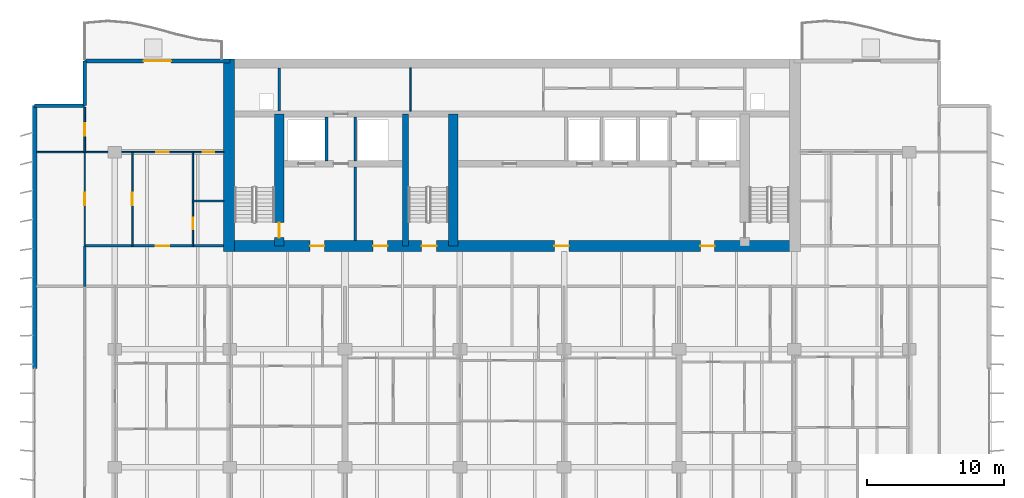
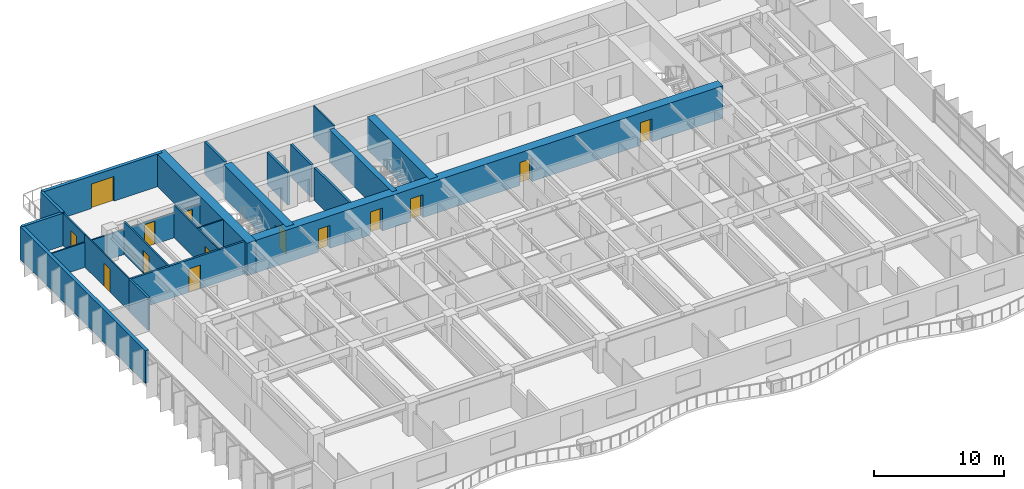
# One storey, part 9 of 15: 22 walls, 14 doors, 14 openings.
"""IFC4 building model written with IfcOpenShell, lengths in metres."""

from ifc_helpers import new_model, si_unit, direction, frame, frame_2d, origin, place, context, subcontext, project, spatial, rectangle, extrude, material, layer, layer_set, type_object, element, fill, save


model = new_model("IFC4")

# Units and contexts
model_context = context("Model", 3, precision=1e-05, world=origin(), true_north=direction((0.0, 1.0)))
body_context = subcontext(model_context, "Body", "Model", "MODEL_VIEW")
ifc_project = project(units=[si_unit("LENGTHUNIT", "METRE"), si_unit("AREAUNIT", "SQUARE_METRE"), si_unit("VOLUMEUNIT", "CUBIC_METRE"), si_unit("PLANEANGLEUNIT", "RADIAN"), si_unit("MASSUNIT", "GRAM", prefix="KILO")], contexts=[model_context])

# Site, building, storey
site_placement = place(None, origin())
site = spatial("IfcSite", under=ifc_project, at=site_placement, CompositionType="ELEMENT")
building_placement = place(site_placement, origin())
building = spatial("IfcBuilding", under=site, at=building_placement, Name="Caelmar Bay Residences", CompositionType="ELEMENT")
storey_placement = place(building_placement, frame((0.0, 0.0, 138.89990234375)))
storey = spatial("IfcBuildingStorey", under=building, at=storey_placement, Name="L38", CompositionType="ELEMENT", Elevation=138.89990234375)

# Wall, opening, door
ifc_material_1 = material(Name="Concrete f'c 55 MPa (8,000 psi)", Category="concrete")
ifc_layer_1 = layer(ifc_material_1, 0.699951171875)
ifc_layer_set_1 = layer_set([ifc_layer_1], Name="Concrete f'c 55 MPa (8,000 psi)")
wall_type_1 = type_object("IfcWallType", Name="SW-COR-700", PredefinedType="SHEAR", material=ifc_layer_set_1)
wall_1_placement = place(storey_placement, frame((21.89990234375, 36.949951171875, 0.0), z_axis=(0.0, 0.0, 1.0), x_axis=(0.0, 1.0, 0.0)))
wall_1 = element("IfcWall", 1, at=wall_1_placement, inside=storey, type_object=wall_type_1, Name="L38 Core Structural Web Wall ST1E", PredefinedType="SHEAR", context=body_context, shape_type="SweptSolid", body=[
    extrude(rectangle(XDim=9.625, YDim=0.699951171875, at=frame_2d((4.8125, 0.0))), origin(), (0.0, 0.0, 1.0), 3.050048828125),
])
opening_1_placement = place(wall_1_placement, frame((0.60009765625, 0.0, 0.0)))
opening_1 = element("IfcOpeningElement", 2, at=opening_1_placement, cuts=wall_1, Name="Opening D-L38-107", PredefinedType="OPENING", context=body_context, shape_type="SweptSolid", body=[
    extrude(rectangle(XDim=1.10009765625, YDim=2.14990234375, at=frame_2d((0.550048828125, 1.074951171875))), frame((0.0, 0.35986328125, 0.0), z_axis=(0.0, -1.0, 0.0), x_axis=(1.0, 0.0, 0.0)), (0.0, 0.0, 1.0), 0.719970703125),
])
ifc_material_2 = material(Name="Fire-rated steel and walnut architectural door assembly", Category="steel")
ifc_layer_2 = layer(ifc_material_2, 0.050048828125)
ifc_layer_set_2 = layer_set([ifc_layer_2], Name="Fire-rated steel and walnut architectural door assembly")
door_type_1 = type_object("IfcDoorType", Name="D-STAIR-1100", OperationType="NOTDEFINED", PredefinedType="DOOR", material=ifc_layer_set_2)
door_1_placement = place(opening_1_placement, origin())
door_1 = element("IfcDoor", 3, at=door_1_placement, inside=storey, type_object=door_type_1, Name="L38 Firefighting Lobby West Door", OperationType="SINGLE_SWING_RIGHT", OverallHeight=2.14990234375, OverallWidth=1.10009765625, PredefinedType="DOOR", context=body_context, shape_type="SweptSolid", body=[
    extrude(rectangle(XDim=1.10009765625, YDim=2.14990234375, at=frame_2d((0.550048828125, 1.074951171875))), frame((0.0, 0.02490234375, 0.0), z_axis=(0.0, -1.0, 0.0), x_axis=(1.0, 0.0, 0.0)), (0.0, 0.0, 1.0), 0.050048828125),
])
fill(opening_1, door_1)

# Wall
wall_2_placement = place(storey_placement, frame((34.60009765625, 36.949951171875, 0.0), z_axis=(0.0, 0.0, 1.0), x_axis=(0.0, 1.0, 0.0)))
element("IfcWall", 4, at=wall_2_placement, inside=storey, type_object=wall_type_1, Name="L38 Core Structural Web Wall ST3E", PredefinedType="SHEAR", context=body_context, shape_type="SweptSolid", body=[
    extrude(rectangle(XDim=9.625, YDim=0.699951171875, at=frame_2d((4.8125, 0.0))), origin(), (0.0, 0.0, 1.0), 3.050048828125),
])

# Wall, openings, doors
ifc_material_3 = material(Name="Concrete f'c 70 MPa (10,000 psi)", Category="concrete")
ifc_layer_3 = layer(ifc_material_3, 0.800048828125)
ifc_layer_set_3 = layer_set([ifc_layer_3], Name="Concrete f'c 70 MPa (10,000 psi)")
wall_type_2 = type_object("IfcWallType", Name="SW-COR-800", PredefinedType="SHEAR", material=ifc_layer_set_3)
wall_3_placement = place(storey_placement, frame((17.85009765625, 36.949951171875, 0.0), z_axis=(0.0, 0.0, 1.0), x_axis=(1.0, 0.0, 0.0)))
wall_3 = element("IfcWall", 5, at=wall_3_placement, inside=storey, type_object=wall_type_2, Name="L38 Rear Core South Shear Wall", PredefinedType="SHEAR", context=body_context, shape_type="SweptSolid", body=[
    extrude(rectangle(XDim=42.099853515625, YDim=0.800048828125, at=frame_2d((21.0498046875, 0.0))), origin(), (0.0, 0.0, 1.0), 3.050048828125),
])
opening_2_placement = place(wall_3_placement, frame((14.449951171875, 0.0, 0.0)))
opening_2 = element("IfcOpeningElement", 6, at=opening_2_placement, cuts=wall_3, Name="Opening D-L38-105", PredefinedType="OPENING", context=body_context, shape_type="SweptSolid", body=[
    extrude(rectangle(XDim=1.10009765625, YDim=2.14990234375, at=frame_2d((0.550048828125, 1.074951171875))), frame((0.0, 0.409912109375, 0.0), z_axis=(0.0, -1.0, 0.0), x_axis=(1.0, 0.0, 0.0)), (0.0, 0.0, 1.0), 0.820068359375),
])
opening_3_placement = place(wall_3_placement, frame((6.300048828125, 0.0, 0.0)))
opening_3 = element("IfcOpeningElement", 7, at=opening_3_placement, cuts=wall_3, Name="Opening D-L38-106", PredefinedType="OPENING", context=body_context, shape_type="SweptSolid", body=[
    extrude(rectangle(XDim=1.050048828125, YDim=2.14990234375, at=frame_2d((0.52490234375, 1.074951171875))), frame((0.0, 0.409912109375, 0.0), z_axis=(0.0, -1.0, 0.0), x_axis=(1.0, 0.0, 0.0)), (0.0, 0.0, 1.0), 0.820068359375),
])
opening_4_placement = place(wall_3_placement, frame((34.800048828125, 0.0, 0.0)))
opening_4 = element("IfcOpeningElement", 8, at=opening_4_placement, cuts=wall_3, Name="Opening D-L38-109", PredefinedType="OPENING", context=body_context, shape_type="SweptSolid", body=[
    extrude(rectangle(XDim=1.050048828125, YDim=2.14990234375, at=frame_2d((0.52490234375, 1.074951171875))), frame((0.0, 0.409912109375, 0.0), z_axis=(0.0, -1.0, 0.0), x_axis=(1.0, 0.0, 0.0)), (0.0, 0.0, 1.0), 0.820068359375),
])
opening_5_placement = place(wall_3_placement, frame((10.91259765625, 0.0, 0.0)))
opening_5 = element("IfcOpeningElement", 9, at=opening_5_placement, cuts=wall_3, Name="Opening D-L38-112", PredefinedType="OPENING", context=body_context, shape_type="SweptSolid", body=[
    extrude(rectangle(XDim=1.050048828125, YDim=2.14990234375, at=frame_2d((0.52490234375, 1.074951171875))), frame((0.0, 0.409912109375, 0.0), z_axis=(0.0, -1.0, 0.0), x_axis=(1.0, 0.0, 0.0)), (0.0, 0.0, 1.0), 0.820068359375),
])
opening_6_placement = place(wall_3_placement, frame((24.14990234375, 0.0, 0.0)))
opening_6 = element("IfcOpeningElement", 10, at=opening_6_placement, cuts=wall_3, Name="Opening D-L38-113", PredefinedType="OPENING", context=body_context, shape_type="SweptSolid", body=[
    extrude(rectangle(XDim=1.050048828125, YDim=2.14990234375, at=frame_2d((0.52490234375, 1.074951171875))), frame((0.0, 0.409912109375, 0.0), z_axis=(0.0, -1.0, 0.0), x_axis=(1.0, 0.0, 0.0)), (0.0, 0.0, 1.0), 0.820068359375),
])
ifc_layer_4 = layer(ifc_material_2, 0.050048828125)
ifc_layer_set_4 = layer_set([ifc_layer_4], Name="Fire-rated steel and walnut architectural door assembly")
door_type_2 = type_object("IfcDoorType", Name="D-FSAE-1050", OperationType="NOTDEFINED", PredefinedType="DOOR", material=ifc_layer_set_4)
door_2_placement = place(opening_3_placement, origin())
door_2 = element("IfcDoor", 11, at=door_2_placement, inside=storey, type_object=door_type_2, Name="L38 Firefighting Lobby West Door", OperationType="SINGLE_SWING_LEFT", OverallHeight=2.14990234375, OverallWidth=1.050048828125, PredefinedType="DOOR", context=body_context, shape_type="SweptSolid", body=[
    extrude(rectangle(XDim=1.050048828125, YDim=2.14990234375, at=frame_2d((0.52490234375, 1.074951171875))), frame((0.0, 0.02490234375, 0.0), z_axis=(0.0, -1.0, 0.0), x_axis=(1.0, 0.0, 0.0)), (0.0, 0.0, 1.0), 0.050048828125),
])
fill(opening_3, door_2)
door_3_placement = place(opening_4_placement, origin())
door_3 = element("IfcDoor", 12, at=door_3_placement, inside=storey, type_object=door_type_2, Name="L38 Firefighting Lobby East Door", OperationType="SINGLE_SWING_RIGHT", OverallHeight=2.14990234375, OverallWidth=1.050048828125, PredefinedType="DOOR", context=body_context, shape_type="SweptSolid", body=[
    extrude(rectangle(XDim=1.050048828125, YDim=2.14990234375, at=frame_2d((0.52490234375, 1.074951171875))), frame((0.0, 0.02490234375, 0.0), z_axis=(0.0, -1.0, 0.0), x_axis=(1.0, 0.0, 0.0)), (0.0, 0.0, 1.0), 0.050048828125),
])
fill(opening_4, door_3)
door_4_placement = place(opening_5_placement, origin())
door_4 = element("IfcDoor", 13, at=door_4_placement, inside=storey, type_object=door_type_2, Name="L38 West Lift Lobby Door", OperationType="SINGLE_SWING_LEFT", OverallHeight=2.14990234375, OverallWidth=1.050048828125, PredefinedType="DOOR", context=body_context, shape_type="SweptSolid", body=[
    extrude(rectangle(XDim=1.050048828125, YDim=2.14990234375, at=frame_2d((0.52490234375, 1.074951171875))), frame((0.0, 0.02490234375, 0.0), z_axis=(0.0, -1.0, 0.0), x_axis=(1.0, 0.0, 0.0)), (0.0, 0.0, 1.0), 0.050048828125),
])
fill(opening_5, door_4)
door_5_placement = place(opening_6_placement, origin())
door_5 = element("IfcDoor", 14, at=door_5_placement, inside=storey, type_object=door_type_2, Name="L38 Passenger Lift Lobby Door", OperationType="SINGLE_SWING_RIGHT", OverallHeight=2.14990234375, OverallWidth=1.050048828125, PredefinedType="DOOR", context=body_context, shape_type="SweptSolid", body=[
    extrude(rectangle(XDim=1.050048828125, YDim=2.14990234375, at=frame_2d((0.52490234375, 1.074951171875))), frame((0.0, 0.02490234375, 0.0), z_axis=(0.0, -1.0, 0.0), x_axis=(1.0, 0.0, 0.0)), (0.0, 0.0, 1.0), 0.050048828125),
])
fill(opening_6, door_5)
door_6_placement = place(opening_2_placement, origin())
door_6 = element("IfcDoor", 15, at=door_6_placement, inside=storey, type_object=door_type_1, Name="L38 Exit Stair ST3 Door", OperationType="SINGLE_SWING_RIGHT", OverallHeight=2.14990234375, OverallWidth=1.10009765625, PredefinedType="DOOR", context=body_context, shape_type="SweptSolid", body=[
    extrude(rectangle(XDim=1.10009765625, YDim=2.14990234375, at=frame_2d((0.550048828125, 1.074951171875))), frame((0.0, 0.02490234375, 0.0), z_axis=(0.0, -1.0, 0.0), x_axis=(1.0, 0.0, 0.0)), (0.0, 0.0, 1.0), 0.050048828125),
])
fill(opening_2, door_6)

# Walls
wall_4_placement = place(storey_placement, frame((18.25, 36.550048828125, 0.0), z_axis=(0.0, 0.0, 1.0), x_axis=(0.0, 1.0, 0.0)))
element("IfcWall", 16, at=wall_4_placement, inside=storey, type_object=wall_type_2, Name="L38 Rear Core West Shear Wall", PredefinedType="SHEAR", context=body_context, shape_type="SweptSolid", body=[
    extrude(rectangle(XDim=14.050048828125, YDim=0.800048828125, at=frame_2d((7.02490234375, 0.0))), origin(), (0.0, 0.0, 1.0), 3.050048828125),
])
ifc_layer_5 = layer(ifc_material_3, 0.449951171875)
ifc_layer_set_5 = layer_set([ifc_layer_5], Name="Concrete f'c 70 MPa (10,000 psi)")
wall_type_3 = type_object("IfcWallType", Name="SW-WEB-450", PredefinedType="SHEAR", material=ifc_layer_set_5)
wall_5_placement = place(storey_placement, frame((31.125, 36.949951171875, 0.0), z_axis=(0.0, 0.0, 1.0), x_axis=(0.0, 1.0, 0.0)))
element("IfcWall", 17, at=wall_5_placement, inside=storey, type_object=wall_type_3, Name="L38 Core Structural Web Wall ST3W", PredefinedType="SHEAR", context=body_context, shape_type="SweptSolid", body=[
    extrude(rectangle(XDim=9.625, YDim=0.449951171875, at=frame_2d((4.8125, 0.0))), origin(), (0.0, 0.0, 1.0), 3.050048828125),
])
ifc_material_4 = material(Name="Double-stud acoustic fire-rated gypsum partition 180 mm")
ifc_layer_6 = layer(ifc_material_4, 0.179931640625)
ifc_layer_set_6 = layer_set([ifc_layer_6], Name="Double-stud acoustic fire-rated gypsum partition 180 mm")
wall_type_4 = type_object("IfcWallType", Name="W-COR-200", PredefinedType="PARTITIONING", material=ifc_layer_set_6)
wall_6_placement = place(storey_placement, frame((7.699951171875, 34.0048828125, 0.0), z_axis=(0.0, 0.0, 1.0), x_axis=(0.0, 1.0, 0.0)))
element("IfcWall", 18, at=wall_6_placement, inside=storey, type_object=wall_type_4, Name="L38 Partition Wall V003", PredefinedType="PARTITIONING", context=body_context, shape_type="SweptSolid", body=[
    extrude(rectangle(XDim=2.945068359375, YDim=0.179931640625, at=frame_2d((1.47265625, 0.0))), origin(), (0.0, 0.0, 1.0), 3.050048828125),
])

# Wall, opening, door
wall_7_placement = place(storey_placement, frame((7.699951171875, 36.949951171875, 0.0), z_axis=(0.0, 0.0, 1.0), x_axis=(1.0, 0.0, 0.0)))
wall_7 = element("IfcWall", 19, at=wall_7_placement, inside=storey, type_object=wall_type_4, Name="L38 Partition Wall H100", PredefinedType="PARTITIONING", context=body_context, shape_type="SweptSolid", body=[
    extrude(rectangle(XDim=10.14501953125, YDim=0.179931640625, at=frame_2d((5.072509765625, 0.0))), origin(), (0.0, 0.0, 1.0), 3.050048828125),
])
opening_7_placement = place(wall_7_placement, frame((5.18798828125, 0.0, 0.0)))
opening_7 = element("IfcOpeningElement", 20, at=opening_7_placement, cuts=wall_7, Name="Opening D-L38-165", PredefinedType="OPENING", context=body_context, shape_type="SweptSolid", body=[
    extrude(rectangle(XDim=1.0, YDim=2.199951171875, at=frame_2d((0.5, 1.10009765625))), frame((0.0, 0.099853515625, 0.0), z_axis=(0.0, -1.0, 0.0), x_axis=(1.0, 0.0, 0.0)), (0.0, 0.0, 1.0), 0.199951171875),
])
ifc_layer_7 = layer(ifc_material_2, 0.050048828125)
ifc_layer_set_7 = layer_set([ifc_layer_7], Name="Fire-rated steel and walnut architectural door assembly")
door_type_3 = type_object("IfcDoorType", Name="D-UNIT-1000", OperationType="NOTDEFINED", PredefinedType="DOOR", material=ifc_layer_set_7)
door_7_placement = place(opening_7_placement, origin())
door_7 = element("IfcDoor", 21, at=door_7_placement, inside=storey, type_object=door_type_3, Name="L38 Residence WA Kitchen Door", OperationType="SINGLE_SWING_RIGHT", OverallHeight=2.199951171875, OverallWidth=1.0, PredefinedType="DOOR", context=body_context, shape_type="SweptSolid", body=[
    extrude(rectangle(XDim=1.0, YDim=2.199951171875, at=frame_2d((0.5, 1.10009765625))), frame((0.0, 0.02490234375, 0.0), z_axis=(0.0, -1.0, 0.0), x_axis=(1.0, 0.0, 0.0)), (0.0, 0.0, 1.0), 0.050048828125),
])
fill(opening_7, door_7)

# Walls
ifc_material_5 = material(Name="Precast concrete f'c 40 MPa (6,000 psi)", Category="concrete")
ifc_layer_8 = layer(ifc_material_5, 0.25)
ifc_layer_set_8 = layer_set([ifc_layer_8], Name="Precast concrete f'c 40 MPa (6,000 psi)")
wall_type_5 = type_object("IfcWallType", Name="W-EXT-250", PredefinedType="ELEMENTEDWALL", material=ifc_layer_set_8)
wall_8_placement = place(storey_placement, frame((4.050048828125, 47.199951171875, 0.0), z_axis=(0.0, 0.0, 1.0), x_axis=(1.0, 0.0, 0.0)))
element("IfcWall", 22, at=wall_8_placement, inside=storey, type_object=wall_type_5, Name="L38 NNW-H Notch Wall", PredefinedType="ELEMENTEDWALL", context=body_context, shape_type="SweptSolid", body=[
    extrude(rectangle(XDim=3.64990234375, YDim=0.25, at=frame_2d((1.824951171875, 0.0))), origin(), (0.0, 0.0, 1.0), 3.050048828125),
])
wall_9_placement = place(storey_placement, frame((7.699951171875, 47.199951171875, 0.0), z_axis=(0.0, 0.0, 1.0), x_axis=(0.0, 1.0, 0.0)))
element("IfcWall", 23, at=wall_9_placement, inside=storey, type_object=wall_type_5, Name="L38 NNW-V Notch Wall", PredefinedType="ELEMENTEDWALL", context=body_context, shape_type="SweptSolid", body=[
    extrude(rectangle(XDim=3.25, YDim=0.25, at=frame_2d((1.625, 0.0))), origin(), (0.0, 0.0, 1.0), 3.050048828125),
])
ifc_layer_9 = layer(ifc_material_5, 0.300048828125)
ifc_layer_set_9 = layer_set([ifc_layer_9], Name="Precast concrete f'c 40 MPa (6,000 psi)")
wall_type_6 = type_object("IfcWallType", Name="W-EXT-300", PredefinedType="STANDARD", material=ifc_layer_set_9)
wall_10_placement = place(storey_placement, frame((4.050048828125, 28.0, 0.0), z_axis=(0.0, 0.0, 1.0), x_axis=(0.0, 1.0, 0.0)))
element("IfcWall", 24, at=wall_10_placement, inside=storey, type_object=wall_type_6, Name="L38 West Rear Exterior Wall", PredefinedType="STANDARD", context=body_context, shape_type="SweptSolid", body=[
    extrude(rectangle(XDim=19.199951171875, YDim=0.300048828125, at=frame_2d((9.60009765625, 0.0))), origin(), (0.0, 0.0, 1.0), 3.050048828125),
])

# Wall, opening, door
wall_11_placement = place(storey_placement, frame((7.699951171875, 50.449951171875, 0.0), z_axis=(0.0, 0.0, 1.0), x_axis=(1.0, 0.0, 0.0)))
wall_11 = element("IfcWall", 25, at=wall_11_placement, inside=storey, type_object=wall_type_6, Name="L38 North-West Wing Exterior Wall", PredefinedType="STANDARD", context=body_context, shape_type="SweptSolid", body=[
    extrude(rectangle(XDim=10.60009765625, YDim=0.300048828125, at=frame_2d((5.300048828125, 0.0))), origin(), (0.0, 0.0, 1.0), 3.050048828125),
])
opening_8_placement = place(wall_11_placement, frame((4.300048828125, 0.0, 0.0)))
opening_8 = element("IfcOpeningElement", 26, at=opening_8_placement, cuts=wall_11, Name="Opening L38-BDNW", PredefinedType="OPENING", context=body_context, shape_type="SweptSolid", body=[
    extrude(rectangle(XDim=2.0, YDim=2.300048828125, at=frame_2d((1.0, 1.14990234375))), frame((0.0, 0.159912109375, 0.0), z_axis=(0.0, -1.0, 0.0), x_axis=(1.0, 0.0, 0.0)), (0.0, 0.0, 1.0), 0.320068359375),
])
ifc_material_6 = material(Name="Anodised bronze thermally broken sliding glass door", Category="glass")
ifc_layer_10 = layer(ifc_material_6, 0.050048828125)
ifc_layer_set_10 = layer_set([ifc_layer_10], Name="Anodised bronze thermally broken sliding glass door")
door_type_4 = type_object("IfcDoorType", Name="D-BAL-2000", OperationType="DOUBLE_DOOR_SLIDING", PredefinedType="DOOR", material=ifc_layer_set_10)
door_8_placement = place(opening_8_placement, origin())
door_8 = element("IfcDoor", 27, at=door_8_placement, inside=storey, type_object=door_type_4, Name="L38 North-West Balcony Door", OperationType="DOUBLE_DOOR_SLIDING", OverallHeight=2.300048828125, OverallWidth=2.0, PredefinedType="DOOR", context=body_context, shape_type="SweptSolid", body=[
    extrude(rectangle(XDim=2.0, YDim=2.300048828125, at=frame_2d((1.0, 1.14990234375))), frame((0.0, 0.02490234375, 0.0), z_axis=(0.0, -1.0, 0.0), x_axis=(1.0, 0.0, 0.0)), (0.0, 0.0, 1.0), 0.050048828125),
])
fill(opening_8, door_8)

# Walls
ifc_material_7 = material(Name="Fire-rated masonry and gypsum shaftliner assembly 200 mm", Category="masonry")
ifc_layer_11 = layer(ifc_material_7, 0.199951171875)
ifc_layer_set_11 = layer_set([ifc_layer_11], Name="Fire-rated masonry and gypsum shaftliner assembly 200 mm")
wall_type_7 = type_object("IfcWallType", Name="W-FSAE-200", PredefinedType="PARTITIONING", material=ifc_layer_set_11)
wall_12_placement = place(storey_placement, frame((21.89990234375, 46.794921875, 0.0), z_axis=(0.0, 0.0, 1.0), x_axis=(0.0, 1.0, 0.0)))
element("IfcWall", 28, at=wall_12_placement, inside=storey, type_object=wall_type_7, Name="L38 Partition Wall V017", PredefinedType="PARTITIONING", context=body_context, shape_type="SweptSolid", body=[
    extrude(rectangle(XDim=3.16015625, YDim=0.199951171875, at=frame_2d((1.580078125, 0.0))), origin(), (0.0, 0.0, 1.0), 3.050048828125),
])
wall_13_placement = place(storey_placement, frame((25.35009765625, 43.169921875, 0.0), z_axis=(0.0, 0.0, 1.0), x_axis=(0.0, 1.0, 0.0)))
element("IfcWall", 29, at=wall_13_placement, inside=storey, type_object=wall_type_7, Name="L38 Partition Wall V020", PredefinedType="PARTITIONING", context=body_context, shape_type="SweptSolid", body=[
    extrude(rectangle(XDim=3.18505859375, YDim=0.199951171875, at=frame_2d((1.592529296875, 0.0))), origin(), (0.0, 0.0, 1.0), 3.050048828125),
])
wall_14_placement = place(storey_placement, frame((27.449951171875, 37.344970703125, 0.0), z_axis=(0.0, 0.0, 1.0), x_axis=(0.0, 1.0, 0.0)))
element("IfcWall", 30, at=wall_14_placement, inside=storey, type_object=wall_type_7, Name="L38 Partition Wall V024", PredefinedType="PARTITIONING", context=body_context, shape_type="SweptSolid", body=[
    extrude(rectangle(XDim=5.385009765625, YDim=0.199951171875, at=frame_2d((2.6923828125, 0.0))), origin(), (0.0, 0.0, 1.0), 3.050048828125),
])
wall_15_placement = place(storey_placement, frame((27.449951171875, 43.169921875, 0.0), z_axis=(0.0, 0.0, 1.0), x_axis=(0.0, 1.0, 0.0)))
element("IfcWall", 31, at=wall_15_placement, inside=storey, type_object=wall_type_7, Name="L38 Partition Wall V025", PredefinedType="PARTITIONING", context=body_context, shape_type="SweptSolid", body=[
    extrude(rectangle(XDim=3.18505859375, YDim=0.199951171875, at=frame_2d((1.592529296875, 0.0))), origin(), (0.0, 0.0, 1.0), 3.050048828125),
])

# Wall, opening, door
ifc_material_8 = material(Name="Anodised bronze framed acoustic sliding study partition 100 mm")
ifc_layer_12 = layer(ifc_material_8, 0.10009765625)
ifc_layer_set_12 = layer_set([ifc_layer_12], Name="Anodised bronze framed acoustic sliding study partition 100 mm")
wall_type_8 = type_object("IfcWallType", Name="W-MOV-100", PredefinedType="MOVABLE", material=ifc_layer_set_12)
wall_16_placement = place(storey_placement, frame((7.699951171875, 36.955078125, 0.0), z_axis=(0.0, 0.0, 1.0), x_axis=(0.0, 1.0, 0.0)))
wall_16 = element("IfcWall", 32, at=wall_16_placement, inside=storey, type_object=wall_type_8, Name="L38 Partition Wall V004", PredefinedType="MOVABLE", context=body_context, shape_type="SweptSolid", body=[
    extrude(rectangle(XDim=6.844970703125, YDim=0.10009765625, at=frame_2d((3.42236328125, 0.0))), origin(), (0.0, 0.0, 1.0), 3.050048828125),
])
opening_9_placement = place(wall_16_placement, frame((2.972412109375, 0.0, 0.0)))
opening_9 = element("IfcOpeningElement", 33, at=opening_9_placement, cuts=wall_16, Name="Opening D-L38-169", PredefinedType="OPENING", context=body_context, shape_type="SweptSolid", body=[
    extrude(rectangle(XDim=0.89990234375, YDim=2.14990234375, at=frame_2d((0.449951171875, 1.074951171875))), frame((0.0, 0.06005859375, 0.0), z_axis=(0.0, -1.0, 0.0), x_axis=(1.0, 0.0, 0.0)), (0.0, 0.0, 1.0), 0.1201171875),
])
ifc_material_9 = material(Name="Solid walnut timber interior door leaf and frame", Category="wood")
ifc_layer_13 = layer(ifc_material_9, 0.050048828125)
ifc_layer_set_13 = layer_set([ifc_layer_13], Name="Solid walnut timber interior door leaf and frame")
door_type_5 = type_object("IfcDoorType", Name="D-ROOM-900", OperationType="NOTDEFINED", PredefinedType="DOOR", material=ifc_layer_set_13)
door_9_placement = place(opening_9_placement, origin())
door_9 = element("IfcDoor", 34, at=door_9_placement, inside=storey, type_object=door_type_5, Name="L38 Residence WA Sun Study Door", OperationType="SINGLE_SWING_RIGHT", OverallHeight=2.14990234375, OverallWidth=0.89990234375, PredefinedType="DOOR", context=body_context, shape_type="SweptSolid", body=[
    extrude(rectangle(XDim=0.89990234375, YDim=2.14990234375, at=frame_2d((0.449951171875, 1.074951171875))), frame((0.0, 0.02490234375, 0.0), z_axis=(0.0, -1.0, 0.0), x_axis=(1.0, 0.0, 0.0)), (0.0, 0.0, 1.0), 0.050048828125),
])
fill(opening_9, door_9)

ifc_material_10 = material(Name="Acoustic metal-stud gypsum partition 120 mm")
ifc_layer_14 = layer(ifc_material_10, 0.1201171875)
ifc_layer_set_14 = layer_set([ifc_layer_14], Name="Acoustic metal-stud gypsum partition 120 mm")
wall_type_9 = type_object("IfcWallType", Name="W-PRT-120", PredefinedType="PARTITIONING", material=ifc_layer_set_14)
wall_17_placement = place(storey_placement, frame((7.699951171875, 43.804931640625, 0.0), z_axis=(0.0, 0.0, 1.0), x_axis=(0.0, 1.0, 0.0)))
wall_17 = element("IfcWall", 35, at=wall_17_placement, inside=storey, type_object=wall_type_9, Name="L38 Partition Wall V005", PredefinedType="PARTITIONING", context=body_context, shape_type="SweptSolid", body=[
    extrude(rectangle(XDim=3.275146484375, YDim=0.1201171875, at=frame_2d((1.6376953125, 0.0))), origin(), (0.0, 0.0, 1.0), 3.050048828125),
])
opening_10_placement = place(wall_17_placement, frame((1.1875, 0.0, 0.0)))
opening_10 = element("IfcOpeningElement", 36, at=opening_10_placement, cuts=wall_17, Name="Opening D-L38-170", PredefinedType="OPENING", context=body_context, shape_type="SweptSolid", body=[
    extrude(rectangle(XDim=0.89990234375, YDim=2.14990234375, at=frame_2d((0.449951171875, 1.074951171875))), frame((0.0, 0.070068359375, 0.0), z_axis=(0.0, -1.0, 0.0), x_axis=(1.0, 0.0, 0.0)), (0.0, 0.0, 1.0), 0.14013671875),
])
door_10_placement = place(opening_10_placement, origin())
door_10 = element("IfcDoor", 37, at=door_10_placement, inside=storey, type_object=door_type_5, Name="L38 Residence WA North Sitting Alcove Door", OperationType="SINGLE_SWING_LEFT", OverallHeight=2.14990234375, OverallWidth=0.89990234375, PredefinedType="DOOR", context=body_context, shape_type="SweptSolid", body=[
    extrude(rectangle(XDim=0.89990234375, YDim=2.14990234375, at=frame_2d((0.449951171875, 1.074951171875))), frame((0.0, 0.02490234375, 0.0), z_axis=(0.0, -1.0, 0.0), x_axis=(1.0, 0.0, 0.0)), (0.0, 0.0, 1.0), 0.050048828125),
])
fill(opening_10, door_10)

wall_18_placement = place(storey_placement, frame((11.176025390625, 36.949951171875, 0.0), z_axis=(0.0, 0.0, 1.0), x_axis=(0.0, 1.0, 0.0)))
wall_18 = element("IfcWall", 38, at=wall_18_placement, inside=storey, type_object=wall_type_9, Name="L38 Partition Wall V009", PredefinedType="PARTITIONING", context=body_context, shape_type="SweptSolid", body=[
    extrude(rectangle(XDim=6.85009765625, YDim=0.1201171875, at=frame_2d((3.425048828125, 0.0))), origin(), (0.0, 0.0, 1.0), 3.050048828125),
])
opening_11_placement = place(wall_18_placement, frame((2.97509765625, 0.0, 0.0)))
opening_11 = element("IfcOpeningElement", 39, at=opening_11_placement, cuts=wall_18, Name="Opening D-L38-164", PredefinedType="OPENING", context=body_context, shape_type="SweptSolid", body=[
    extrude(rectangle(XDim=0.89990234375, YDim=2.14990234375, at=frame_2d((0.449951171875, 1.074951171875))), frame((0.0, 0.070068359375, 0.0), z_axis=(0.0, -1.0, 0.0), x_axis=(1.0, 0.0, 0.0)), (0.0, 0.0, 1.0), 0.14013671875),
])
door_11_placement = place(opening_11_placement, origin())
door_11 = element("IfcDoor", 40, at=door_11_placement, inside=storey, type_object=door_type_5, Name="L38 Residence WA Dining Room Door", OperationType="SINGLE_SWING_LEFT", OverallHeight=2.14990234375, OverallWidth=0.89990234375, PredefinedType="DOOR", context=body_context, shape_type="SweptSolid", body=[
    extrude(rectangle(XDim=0.89990234375, YDim=2.14990234375, at=frame_2d((0.449951171875, 1.074951171875))), frame((0.0, 0.02490234375, 0.0), z_axis=(0.0, -1.0, 0.0), x_axis=(1.0, 0.0, 0.0)), (0.0, 0.0, 1.0), 0.050048828125),
])
fill(opening_11, door_11)

wall_19_placement = place(storey_placement, frame((15.60009765625, 36.949951171875, 0.0), z_axis=(0.0, 0.0, 1.0), x_axis=(0.0, 1.0, 0.0)))
wall_19 = element("IfcWall", 41, at=wall_19_placement, inside=storey, type_object=wall_type_9, Name="L38 Partition Wall V011", PredefinedType="PARTITIONING", context=body_context, shape_type="SweptSolid", body=[
    extrude(rectangle(XDim=6.85009765625, YDim=0.1201171875, at=frame_2d((3.425048828125, 0.0))), origin(), (0.0, 0.0, 1.0), 3.050048828125),
])
opening_12_placement = place(wall_19_placement, frame((1.218994140625, 0.0, 0.0)))
opening_12 = element("IfcOpeningElement", 42, at=opening_12_placement, cuts=wall_19, Name="Opening D-L38-167", PredefinedType="OPENING", context=body_context, shape_type="SweptSolid", body=[
    extrude(rectangle(XDim=0.85009765625, YDim=2.10009765625, at=frame_2d((0.425048828125, 1.050048828125))), frame((0.0, 0.070068359375, 0.0), z_axis=(0.0, -1.0, 0.0), x_axis=(1.0, 0.0, 0.0)), (0.0, 0.0, 1.0), 0.14013671875),
])
ifc_layer_15 = layer(ifc_material_9, 0.050048828125)
ifc_layer_set_15 = layer_set([ifc_layer_15], Name="Solid walnut timber interior door leaf and frame")
door_type_6 = type_object("IfcDoorType", Name="D-BATH-850", OperationType="NOTDEFINED", PredefinedType="DOOR", material=ifc_layer_set_15)
door_12_placement = place(opening_12_placement, origin())
door_12 = element("IfcDoor", 43, at=door_12_placement, inside=storey, type_object=door_type_6, Name="L38 Residence WA Walk-In Closet Door", OperationType="SINGLE_SWING_RIGHT", OverallHeight=2.10009765625, OverallWidth=0.85009765625, PredefinedType="DOOR", context=body_context, shape_type="SweptSolid", body=[
    extrude(rectangle(XDim=0.85009765625, YDim=2.10009765625, at=frame_2d((0.425048828125, 1.050048828125))), frame((0.0, 0.02490234375, 0.0), z_axis=(0.0, -1.0, 0.0), x_axis=(1.0, 0.0, 0.0)), (0.0, 0.0, 1.0), 0.050048828125),
])
fill(opening_12, door_12)

# Walls
wall_20_placement = place(storey_placement, frame((31.5, 46.794921875, 0.0), z_axis=(0.0, 0.0, 1.0), x_axis=(0.0, 1.0, 0.0)))
element("IfcWall", 44, at=wall_20_placement, inside=storey, type_object=wall_type_9, Name="L38 Partition Wall V027", PredefinedType="PARTITIONING", context=body_context, shape_type="SweptSolid", body=[
    extrude(rectangle(XDim=3.16015625, YDim=0.1201171875, at=frame_2d((1.580078125, 0.0))), origin(), (0.0, 0.0, 1.0), 3.050048828125),
])
wall_21_placement = place(storey_placement, frame((15.60009765625, 40.238037109375, 0.0), z_axis=(0.0, 0.0, 1.0), x_axis=(1.0, 0.0, 0.0)))
element("IfcWall", 45, at=wall_21_placement, inside=storey, type_object=wall_type_9, Name="L38 Partition Wall H102", PredefinedType="PARTITIONING", context=body_context, shape_type="SweptSolid", body=[
    extrude(rectangle(XDim=2.2548828125, YDim=0.1201171875, at=frame_2d((1.12744140625, 0.0))), origin(), (0.0, 0.0, 1.0), 3.050048828125),
])

# Wall, openings, doors
wall_22_placement = place(storey_placement, frame((4.195068359375, 43.800048828125, 0.0), z_axis=(0.0, 0.0, 1.0), x_axis=(1.0, 0.0, 0.0)))
wall_22 = element("IfcWall", 46, at=wall_22_placement, inside=storey, type_object=wall_type_9, Name="L38 Partition Wall H104", PredefinedType="PARTITIONING", context=body_context, shape_type="SweptSolid", body=[
    extrude(rectangle(XDim=13.659912109375, YDim=0.1201171875, at=frame_2d((6.830078125, 0.0))), origin(), (0.0, 0.0, 1.0), 2.339111328125),
])
opening_13_placement = place(wall_22_placement, frame((8.742919921875, 0.0, 0.0)))
opening_13 = element("IfcOpeningElement", 47, at=opening_13_placement, cuts=wall_22, Name="Opening D-L38-166", PredefinedType="OPENING", context=body_context, shape_type="SweptSolid", body=[
    extrude(rectangle(XDim=0.89990234375, YDim=2.14990234375, at=frame_2d((0.449951171875, 1.074951171875))), frame((0.0, 0.070068359375, 0.0), z_axis=(0.0, -1.0, 0.0), x_axis=(1.0, 0.0, 0.0)), (0.0, 0.0, 1.0), 0.14013671875),
])
opening_14_placement = place(wall_22_placement, frame((12.107421875, 0.0, 0.0)))
opening_14 = element("IfcOpeningElement", 48, at=opening_14_placement, cuts=wall_22, Name="Opening D-L38-168", PredefinedType="OPENING", context=body_context, shape_type="SweptSolid", body=[
    extrude(rectangle(XDim=0.85009765625, YDim=2.10009765625, at=frame_2d((0.425048828125, 1.050048828125))), frame((0.0, 0.070068359375, 0.0), z_axis=(0.0, -1.0, 0.0), x_axis=(1.0, 0.0, 0.0)), (0.0, 0.0, 1.0), 0.14013671875),
])
door_13_placement = place(opening_14_placement, origin())
door_13 = element("IfcDoor", 49, at=door_13_placement, inside=storey, type_object=door_type_6, Name="L38 Residence WA Bathroom Door", OperationType="SINGLE_SWING_LEFT", OverallHeight=2.10009765625, OverallWidth=0.85009765625, PredefinedType="DOOR", context=body_context, shape_type="SweptSolid", body=[
    extrude(rectangle(XDim=0.85009765625, YDim=2.10009765625, at=frame_2d((0.425048828125, 1.050048828125))), frame((0.0, 0.02490234375, 0.0), z_axis=(0.0, -1.0, 0.0), x_axis=(1.0, 0.0, 0.0)), (0.0, 0.0, 1.0), 0.050048828125),
])
fill(opening_14, door_13)
door_14_placement = place(opening_13_placement, origin())
door_14 = element("IfcDoor", 50, at=door_14_placement, inside=storey, type_object=door_type_5, Name="L38 Residence WA Studio Living and Sleeping Room Door", OperationType="SINGLE_SWING_LEFT", OverallHeight=2.14990234375, OverallWidth=0.89990234375, PredefinedType="DOOR", context=body_context, shape_type="SweptSolid", body=[
    extrude(rectangle(XDim=0.89990234375, YDim=2.14990234375, at=frame_2d((0.449951171875, 1.074951171875))), frame((0.0, 0.02490234375, 0.0), z_axis=(0.0, -1.0, 0.0), x_axis=(1.0, 0.0, 0.0)), (0.0, 0.0, 1.0), 0.050048828125),
])
fill(opening_13, door_14)

save(model, "model.ifc")
